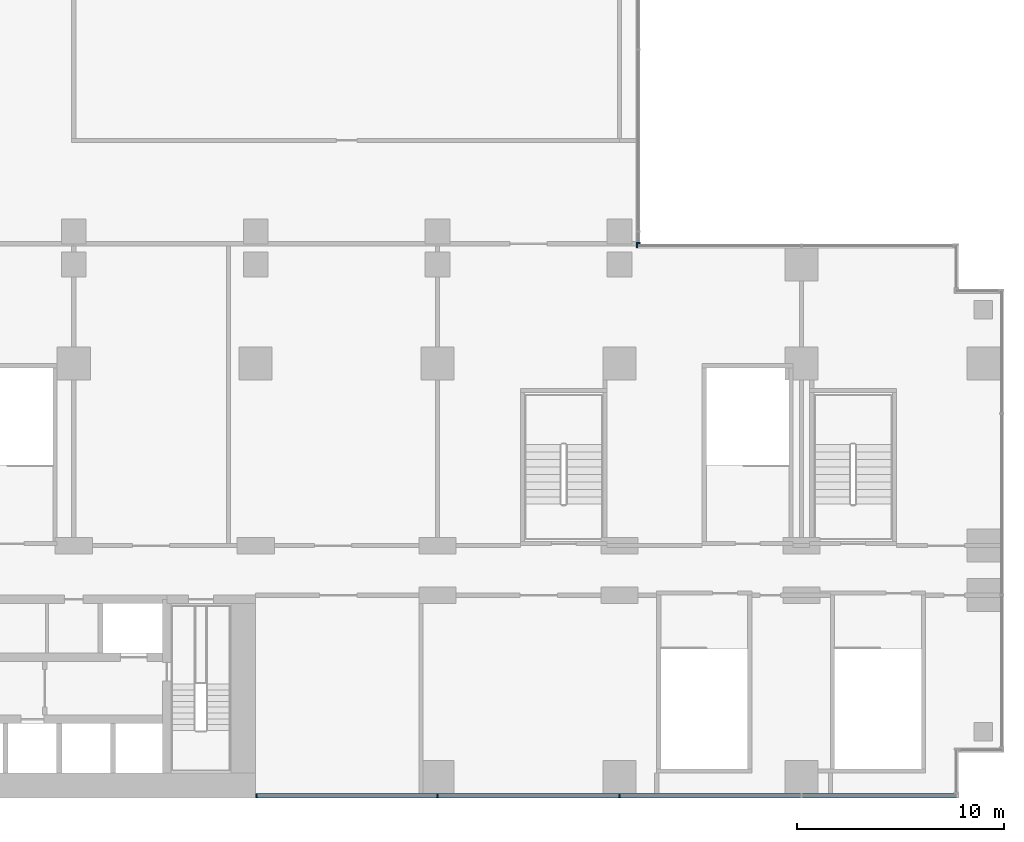
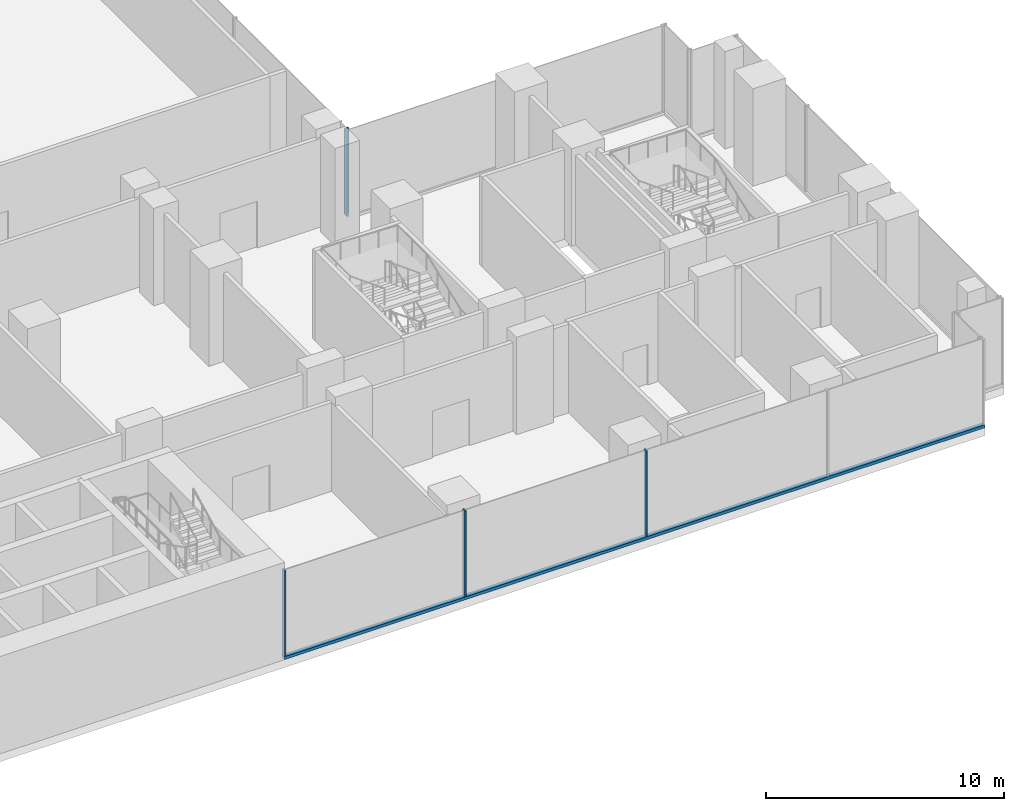
# One storey, part 3 of 27: 6 members, 3 elements without a shape of their own.
"""IFC4 building model written with IfcOpenShell, lengths in metres."""

from ifc_helpers import new_model, si_unit, direction, frame, origin, origin_2d, place, context, subcontext, project, spatial, rectangle, extrude, source, transform, mapped, material, material_profile, profile_set, type_object, element, aggregate, save


model = new_model("IFC4")

# Units and contexts
model_context = context("Model", 3, precision=1e-05, world=origin(), true_north=direction((0.0, 1.0)))
body_context = subcontext(model_context, "Body", "Model", "MODEL_VIEW")
ifc_project = project(units=[si_unit("LENGTHUNIT", "METRE"), si_unit("AREAUNIT", "SQUARE_METRE"), si_unit("VOLUMEUNIT", "CUBIC_METRE"), si_unit("PLANEANGLEUNIT", "RADIAN"), si_unit("MASSUNIT", "GRAM", prefix="KILO")], contexts=[model_context])

# Site, building, storey
site_placement = place(None, origin())
site = spatial("IfcSite", under=ifc_project, at=site_placement, CompositionType="ELEMENT")
building_placement = place(site_placement, origin())
building = spatial("IfcBuilding", under=site, at=building_placement, Name="Kemantara Hotel Tower", CompositionType="ELEMENT")
storey_placement = place(building_placement, frame((0.0, 0.0, 29.0)))
storey = spatial("IfcBuildingStorey", under=building, at=storey_placement, Name="L05", CompositionType="ELEMENT", Elevation=29.0)

# Curtain wall, members
ifc_material_1 = material(Name="Laminated tinted insulated glass 44 mm", Category="glass")
curtain_wall_type = type_object("IfcCurtainWallType", Name="PODIUM GLASS CURTAIN WALL", PredefinedType="USERDEFINED", material=ifc_material_1)
curtain_wall_1_placement = place(storey_placement, origin())
curtain_wall_1 = element("IfcCurtainWall", 1, at=curtain_wall_1_placement, inside=storey, type_object=curtain_wall_type, Name="CW1 L05 POD-R01-2", ObjectType="PODIUM GLASS CURTAIN WALL", PredefinedType="USERDEFINED")
ifc_material_2 = material(Name="Aluminium 6063-T6 bronze anodised", Category="aluminium")
ifc_material_profile_1 = material_profile(ifc_material_2, rectangle(XDim=0.199951171875, YDim=0.14990234375, at=origin_2d()), Name="PODIUM GLASS CURTAIN WALL TRANSOM")
ifc_profile_set_1 = profile_set([ifc_material_profile_1], Name="Aluminium 6063-T6 bronze anodised")
member_type_1 = type_object("IfcMemberType", Name="PODIUM GLASS CURTAIN WALL TRANSOM", PredefinedType="USERDEFINED", material=ifc_profile_set_1)
member_1_placement = place(storey_placement, frame((45.0, 0.10009765625, 0.074951171875), z_axis=(1.0, 0.0, 0.0), x_axis=(0.0, 1.0, 0.0)))
member_1 = element("IfcMember", 2, at=member_1_placement, type_object=member_type_1, Name="CW1 sill transom POD-R01-2", ObjectType="TRANSOM", PredefinedType="USERDEFINED", context=body_context, shape_type="SweptSolid", body=[
    extrude(rectangle(XDim=0.199951171875, YDim=0.14990234375, at=origin_2d()), origin(), (0.0, 0.0, 1.0), 34.0),
])
ifc_material_profile_2 = material_profile(ifc_material_2, rectangle(XDim=0.199951171875, YDim=0.074951171875, at=origin_2d()), Name="PODIUM GLASS CURTAIN WALL MULLION")
ifc_profile_set_2 = profile_set([ifc_material_profile_2], Name="Aluminium 6063-T6 bronze anodised")
member_type_2 = type_object("IfcMemberType", Name="PODIUM GLASS CURTAIN WALL MULLION", PredefinedType="MULLION", material=ifc_profile_set_2)
shared_shape = source(origin(), body_context, "Body", "SweptSolid", [
    extrude(rectangle(XDim=0.199951171875, YDim=0.074951171875, at=origin_2d()), origin(), (0.0, 0.0, 1.0), 4.400146484375),
])
member_2_placement = place(storey_placement, frame((45.03759765625, 0.10009765625, 0.14990234375), z_axis=(0.0, 0.0, 1.0), x_axis=(0.0, 1.0, 0.0)))
member_2 = element("IfcMember", 3, at=member_2_placement, type_object=member_type_2, Name="CW1 mullion POD-R01-2.1", PredefinedType="MULLION", context=body_context, shape_type="MappedRepresentation", body=[
    mapped(shared_shape, transform((0.0, 0.0, 0.0))),
])
member_3_placement = place(storey_placement, frame((53.800048828125, 0.10009765625, 0.14990234375), z_axis=(0.0, 0.0, 1.0), x_axis=(0.0, 1.0, 0.0)))
member_3 = element("IfcMember", 4, at=member_3_placement, type_object=member_type_2, Name="CW1 mullion POD-R01-2.2", PredefinedType="MULLION", context=body_context, shape_type="MappedRepresentation", body=[
    mapped(shared_shape, transform((0.0, 0.0, 0.0))),
])
member_4_placement = place(storey_placement, frame((62.60009765625, 0.10009765625, 0.14990234375), z_axis=(0.0, 0.0, 1.0), x_axis=(0.0, 1.0, 0.0)))
member_4 = element("IfcMember", 5, at=member_4_placement, type_object=member_type_2, Name="CW1 mullion POD-R01-2.3", PredefinedType="MULLION", context=body_context, shape_type="MappedRepresentation", body=[
    mapped(shared_shape, transform((0.0, 0.0, 0.0))),
])
aggregate(curtain_wall_1, [member_1, member_2, member_3, member_4])

# Curtain wall, member
curtain_wall_2_placement = place(storey_placement, origin())
curtain_wall_2 = element("IfcCurtainWall", 6, at=curtain_wall_2_placement, inside=storey, type_object=curtain_wall_type, Name="CW1 L05 POD-R07-1", ObjectType="PODIUM GLASS CURTAIN WALL", PredefinedType="USERDEFINED")
member_5_placement = place(storey_placement, frame((63.4375, 26.699951171875, 0.14990234375), z_axis=(0.0, 0.0, 1.0), x_axis=(0.0, -1.0, 0.0)))
member_5 = element("IfcMember", 7, at=member_5_placement, type_object=member_type_2, Name="CW1 mullion POD-R07-1.3", PredefinedType="MULLION", context=body_context, shape_type="MappedRepresentation", body=[
    mapped(shared_shape, transform((0.0, 0.0, 0.0))),
])
aggregate(curtain_wall_2, [member_5])

curtain_wall_3_placement = place(storey_placement, origin())
curtain_wall_3 = element("IfcCurtainWall", 8, at=curtain_wall_3_placement, inside=storey, type_object=curtain_wall_type, Name="CW1 L05 POD-R08-1", ObjectType="PODIUM GLASS CURTAIN WALL", PredefinedType="USERDEFINED")
member_6_placement = place(storey_placement, frame((63.5, 26.83740234375, 0.14990234375), z_axis=(0.0, 0.0, 1.0), x_axis=(-1.0, 0.0, 0.0)))
member_6 = element("IfcMember", 9, at=member_6_placement, type_object=member_type_2, Name="CW1 mullion POD-R08-1.1", PredefinedType="MULLION", context=body_context, shape_type="MappedRepresentation", body=[
    mapped(shared_shape, transform((0.0, 0.0, 0.0))),
])
aggregate(curtain_wall_3, [member_6])

save(model, "model.ifc")
